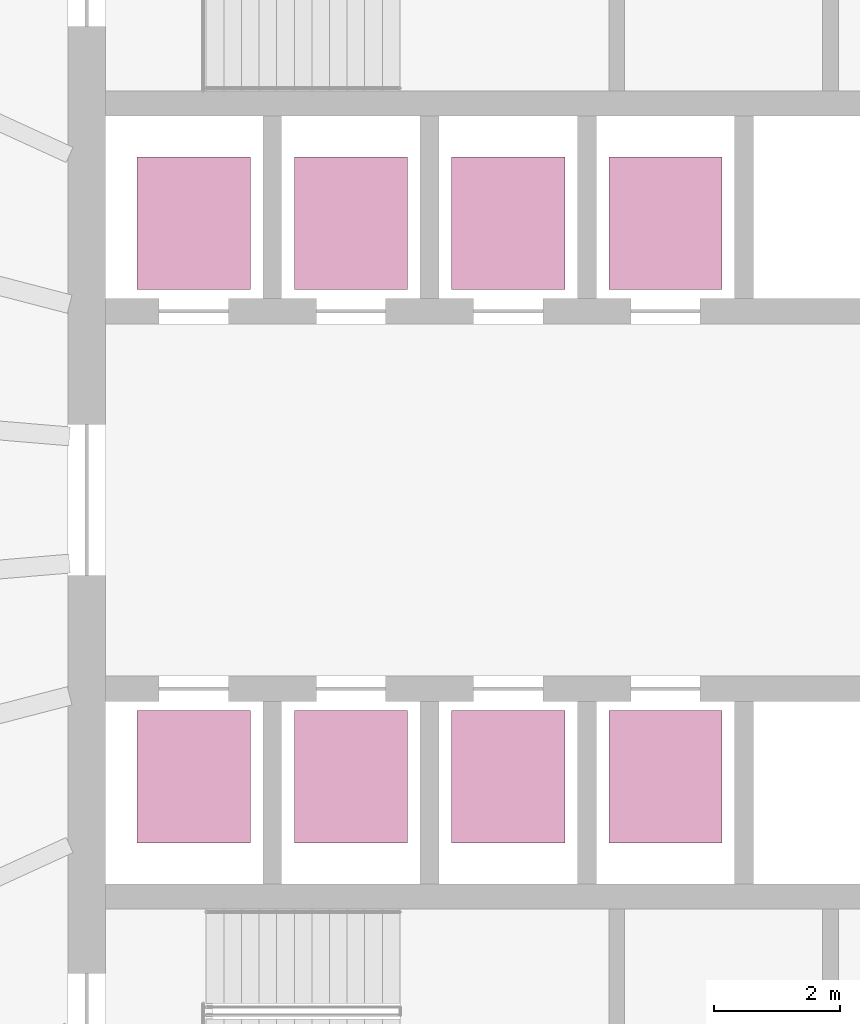
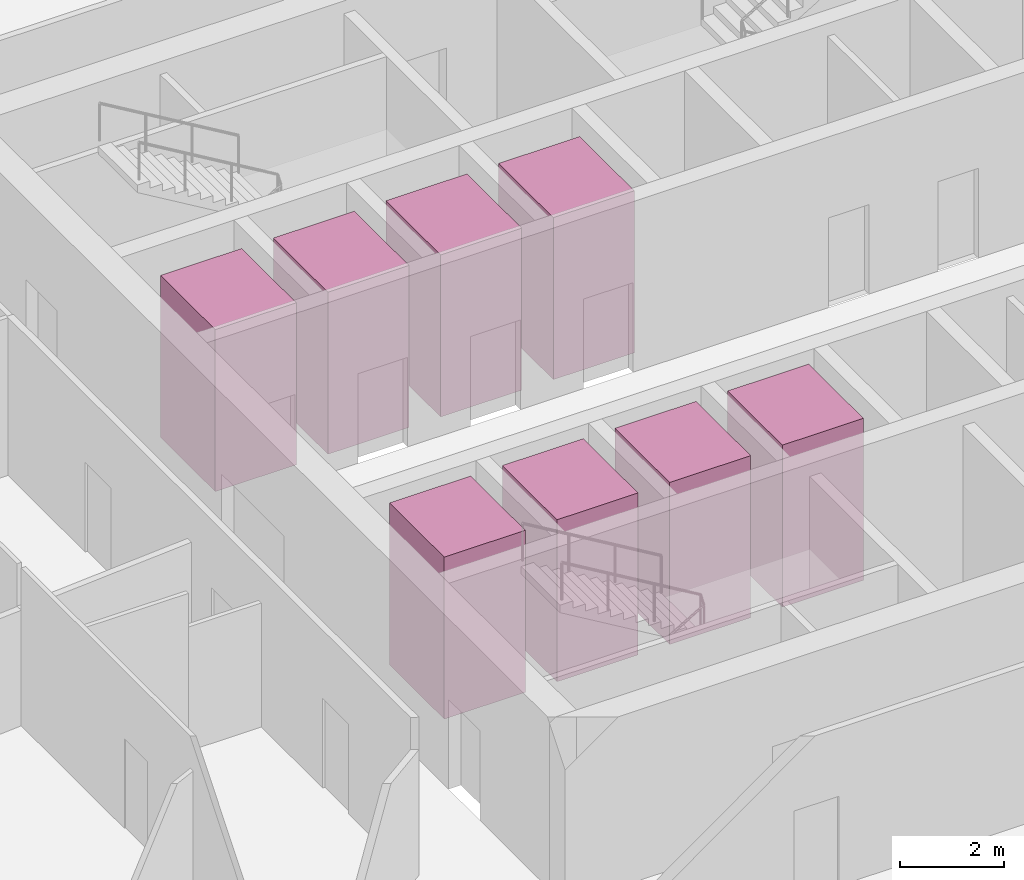
# One storey, part 11 of 11: 8 transport elements.
"""IFC4 building model written with IfcOpenShell, lengths in metres."""

from ifc_helpers import new_model, si_unit, direction, frame, origin, origin_2d, place, context, subcontext, project, spatial, rectangle, extrude, material, type_object, element, save


model = new_model("IFC4")

# Units and contexts
model_context = context("Model", 3, precision=1e-05, world=origin(), true_north=direction((0.0, 1.0)))
body_context = subcontext(model_context, "Body", "Model", "MODEL_VIEW")
ifc_project = project(units=[si_unit("LENGTHUNIT", "METRE"), si_unit("AREAUNIT", "SQUARE_METRE"), si_unit("VOLUMEUNIT", "CUBIC_METRE"), si_unit("PLANEANGLEUNIT", "RADIAN"), si_unit("MASSUNIT", "GRAM", prefix="KILO")], contexts=[model_context])

# Site, building, storey
site_placement = place(None, origin())
site = spatial("IfcSite", under=ifc_project, at=site_placement, CompositionType="ELEMENT")
building_placement = place(site_placement, origin())
building = spatial("IfcBuilding", under=site, at=building_placement, Name="Halqa Exchange Tower", CompositionType="ELEMENT")
storey_placement = place(building_placement, frame((0.0, 0.0, 214.89990234375)))
storey = spatial("IfcBuildingStorey", under=building, at=storey_placement, Name="L49", CompositionType="ELEMENT", Elevation=214.89990234375)

# Transport elements
ifc_material = material(Name="Stainless steel", Category="steel")
transport_element_type_1 = type_object("IfcTransportElementType", Name="High-rise passenger lift 1800 x 2100", PredefinedType="ELEVATOR", material=ifc_material)
for number, where, z_axis, x_axis, name in (
    (1, (-10.0, 4.39990234375, 0.0), (0.0, 0.0, 1.0), (1.0, 0.0, 0.0), "High-rise passenger lift HR1"),
    (2, (-7.5, 4.39990234375, 0.0), (0.0, 0.0, 1.0), (1.0, 0.0, 0.0), "High-rise passenger lift HR2"),
    (3, (-10.0, -4.39990234375, 0.0), (0.0, 0.0, 1.0), (1.0, 0.0, 0.0), "High-rise passenger lift HR3"),
    (4, (-7.5, -4.39990234375, 0.0), (0.0, 0.0, 1.0), (1.0, 0.0, 0.0), "High-rise passenger lift HR4"),
):
    element("IfcTransportElement", number, at=place(storey_placement, frame(where, z_axis=z_axis, x_axis=x_axis)), inside=storey, type_object=transport_element_type_1, Name=name, PredefinedType="ELEVATOR", context=body_context, shape_type="SweptSolid", body=[
        extrude(rectangle(XDim=1.800048828125, YDim=2.10009765625, at=origin_2d()), origin(), (0.0, 0.0, 1.0), 3.800048828125),
    ])
transport_element_type_2 = type_object("IfcTransportElementType", Name="Mid-rise passenger lift 1800 x 2100", PredefinedType="ELEVATOR", material=ifc_material)
for number, where, z_axis, x_axis, name in (
    (5, (-5.0, 4.39990234375, 0.0), (0.0, 0.0, 1.0), (1.0, 0.0, 0.0), "Mid-rise passenger lift MR1"),
    (6, (-2.5, 4.39990234375, 0.0), (0.0, 0.0, 1.0), (1.0, 0.0, 0.0), "Mid-rise passenger lift MR2"),
    (7, (-5.0, -4.39990234375, 0.0), (0.0, 0.0, 1.0), (1.0, 0.0, 0.0), "Mid-rise passenger lift MR3"),
    (8, (-2.5, -4.39990234375, 0.0), (0.0, 0.0, 1.0), (1.0, 0.0, 0.0), "Mid-rise passenger lift MR4"),
):
    element("IfcTransportElement", number, at=place(storey_placement, frame(where, z_axis=z_axis, x_axis=x_axis)), inside=storey, type_object=transport_element_type_2, Name=name, PredefinedType="ELEVATOR", context=body_context, shape_type="SweptSolid", body=[
        extrude(rectangle(XDim=1.800048828125, YDim=2.10009765625, at=origin_2d()), origin(), (0.0, 0.0, 1.0), 3.800048828125),
    ])

save(model, "model.ifc")
